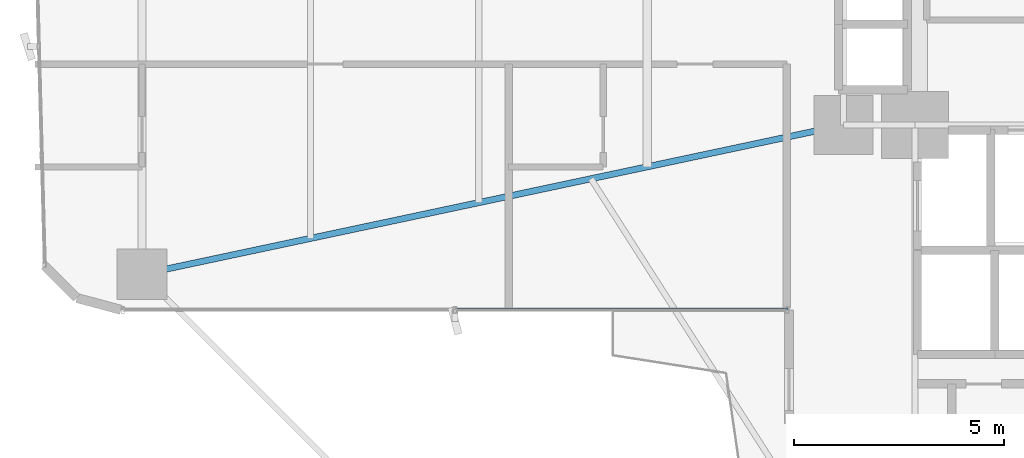
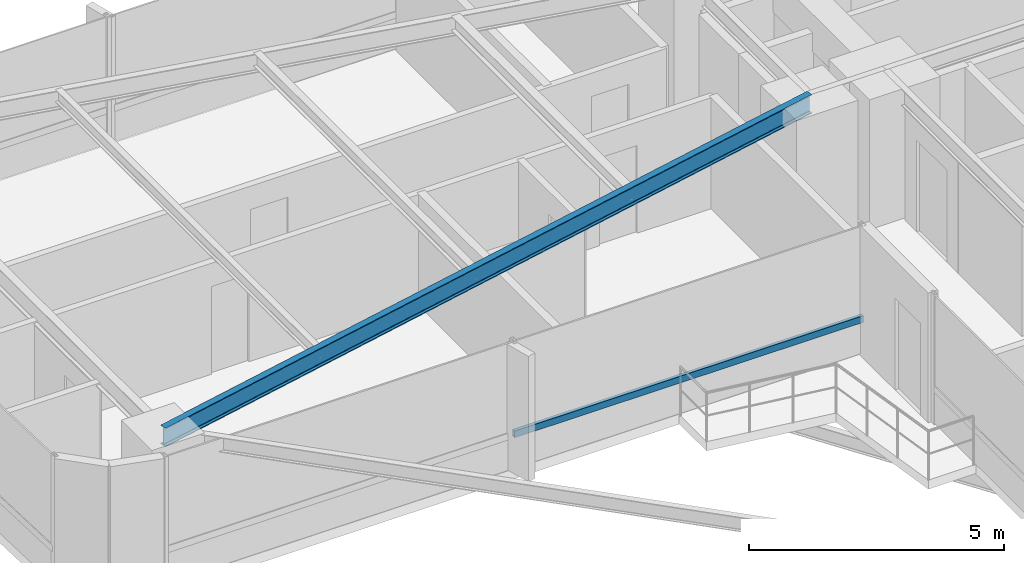
# One storey, part 7 of 25: 1 beam, 1 member, 1 element without a shape of its own.
"""IFC4 building model written with IfcOpenShell, lengths in metres."""

from ifc_helpers import new_model, si_unit, direction, frame, origin, origin_2d, place, context, subcontext, project, spatial, hollow_rectangle, i_section, extrude, source, transform, mapped, material, material_profile, profile_set, type_object, element, aggregate, save


model = new_model("IFC4")

# Units and contexts
model_context = context("Model", 3, precision=1e-05, world=origin(), true_north=direction((0.0, 1.0)))
body_context = subcontext(model_context, "Body", "Model", "MODEL_VIEW")
ifc_project = project(units=[si_unit("LENGTHUNIT", "METRE"), si_unit("AREAUNIT", "SQUARE_METRE"), si_unit("VOLUMEUNIT", "CUBIC_METRE"), si_unit("PLANEANGLEUNIT", "RADIAN"), si_unit("MASSUNIT", "GRAM", prefix="KILO")], contexts=[model_context])

# Site, building, storey
site_placement = place(None, origin())
site = spatial("IfcSite", under=ifc_project, at=site_placement, CompositionType="ELEMENT")
building_placement = place(site_placement, origin())
building = spatial("IfcBuilding", under=site, at=building_placement, Name="Sahyath Konkavel Grand Hotel", CompositionType="ELEMENT")
storey_placement = place(building_placement, frame((0.0, 0.0, 54.39990234375)))
storey = spatial("IfcBuildingStorey", under=building, at=storey_placement, Name="L14", CompositionType="ELEMENT", Elevation=54.39990234375)

# Beam
ifc_material_1 = material(Name="Steel E350", Category="steel")
ifc_material_profile_1 = material_profile(ifc_material_1, i_section(OverallWidth=0.14990234375, OverallDepth=0.449951171875, WebThickness=0.009521484375, FlangeThickness=0.017333984375, FilletRadius=0.014892578125, at=origin_2d()), Name="ISMB 450")
ifc_profile_set_1 = profile_set([ifc_material_profile_1], Name="Steel E350")
beam_type = type_object("IfcBeamType", Name="BM-ISMB450", PredefinedType="BEAM", material=ifc_profile_set_1)
shared_shape_1 = source(origin(), body_context, "Body", "SweptSolid", [
    extrude(i_section(OverallWidth=0.14990234375, OverallDepth=0.449951171875, WebThickness=0.009521484375, FlangeThickness=0.017333984375, FilletRadius=0.014892578125, at=origin_2d()), origin(), (0.0, 0.0, 1.0), 17.072998046875),
])
beam_placement = place(storey_placement, frame((-5.5, -2.39990234375, 2.885009765625), z_axis=(-0.978143257225, -0.20793212437, 0.0), x_axis=(0.20793212437, -0.978143257225, 0.0)))
element("IfcBeam", 1, at=beam_placement, inside=storey, type_object=beam_type, Name="L14 Cruciform Radial Girder WB", PredefinedType="BEAM", context=body_context, shape_type="MappedRepresentation", body=[
    mapped(shared_shape_1, transform((0.0, 0.0, 0.0), scale=1.0)),
])

# Curtain wall, member
ifc_material_2 = material(Name="Anodised Bronze Aluminium & Low-E Glazing", Category="aluminium")
curtain_wall_type = type_object("IfcCurtainWallType", Name="CW-ZONE1", PredefinedType="NOTDEFINED", material=ifc_material_2)
curtain_wall_placement = place(storey_placement, origin())
curtain_wall = element("IfcCurtainWall", 2, at=curtain_wall_placement, inside=storey, type_object=curtain_wall_type, Name="L14 Unitised Curtain Wall F23", PredefinedType="NOTDEFINED")
ifc_material_3 = material(Name="Anodised Bronze Aluminium", Category="aluminium")
ifc_material_profile_2 = material_profile(ifc_material_3, hollow_rectangle(XDim=0.080078125, YDim=0.159912109375, WallThickness=0.006103515625, at=origin_2d()), Name="RHS 160x80x6")
ifc_profile_set_2 = profile_set([ifc_material_profile_2], Name="Anodised Bronze Aluminium")
member_type = type_object("IfcMemberType", Name="CW-TRN-160", PredefinedType="USERDEFINED", material=ifc_profile_set_2)
shared_shape_2 = source(origin(), body_context, "Body", "SweptSolid", [
    extrude(hollow_rectangle(XDim=0.080078125, YDim=0.159912109375, WallThickness=0.006103515625, at=origin_2d()), origin(), (0.0, 0.0, 1.0), 7.909912109375),
])
member_placement = place(storey_placement, frame((-14.75, -6.800048828125, 0.85009765625), z_axis=(1.0, 0.0, 0.0), x_axis=(0.0, 1.0, 0.0)))
member = element("IfcMember", 3, at=member_placement, type_object=member_type, Name="L14 Curtain Wall Transom F23-1-spandrel", ObjectType="TRANSOM", PredefinedType="USERDEFINED", context=body_context, shape_type="MappedRepresentation", body=[
    mapped(shared_shape_2, transform((0.0, 0.0, 0.0), scale=1.0)),
])
aggregate(curtain_wall, [member])

save(model, "model.ifc")
